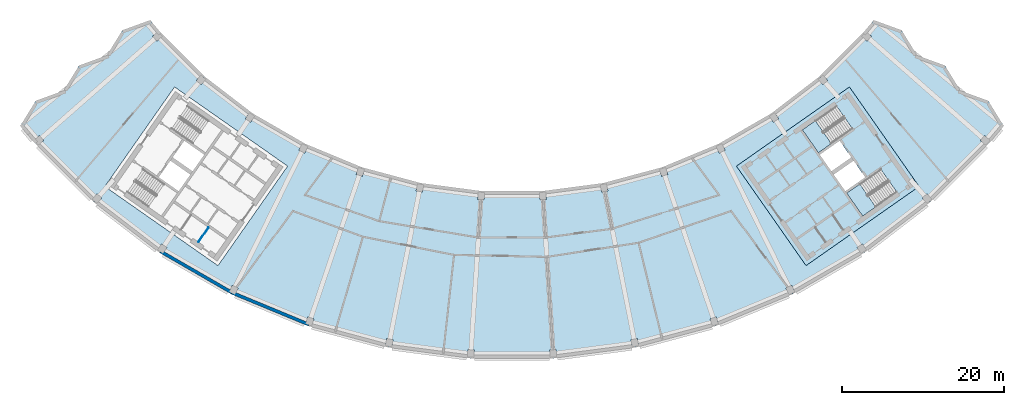
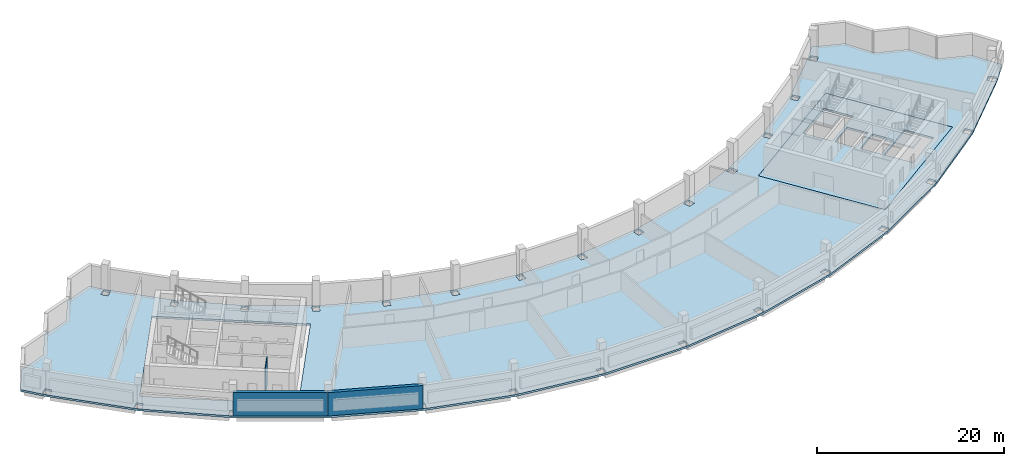
# One storey, part 2 of 11: 4 slabs, 3 walls, 2 elements without a shape of their own.
"""IFC4 building model written with IfcOpenShell, lengths in metres."""

import ifcopenshell
import ifcopenshell.guid

model = None  # the IFC model being written
_history = None  # IfcOwnerHistory: only IFC2X3 demands one
_inside = {}  # id of a spatial element -> (the spatial element, [elements in it])
_under = {}  # id of a project, library or spatial element -> (it, [spatial elements below it])
_declared = {}  # id of a project -> (the project, [libraries it declares])
_typed = {}  # id of a type object -> (the type object, [elements of that type])
_made_of = {}  # id of a material, layer set ... -> (it, [elements and type objects made of it])


def new_model(schema):
    """Start an empty IFC model of exactly this schema.

    Asked for "IFC4X3", IfcOpenShell would pick the latest addendum, in which some entities
    have other attributes; the version numbers below select the first issue.
    IFC2X3 requires an IfcOwnerHistory on every rooted entity: one is made here for all.
    """
    global model, _history
    if schema == "IFC4X3":
        model = ifcopenshell.file(schema_version=(4, 3, 0, 0))
    else:
        model = ifcopenshell.file(schema=schema)
    _inside.clear()
    _under.clear()
    _declared.clear()
    _typed.clear()
    _made_of.clear()
    _history = None
    if model.schema == "IFC2X3":
        org = make("IfcOrganization", Name="unknown")
        user = make(
            "IfcPersonAndOrganization",
            ThePerson=make("IfcPerson", FamilyName="unknown"),
            TheOrganization=org,
        )
        app = make(
            "IfcApplication",
            ApplicationDeveloper=org,
            Version="unknown",
            ApplicationFullName="unknown",
            ApplicationIdentifier="unknown",
        )
        _history = make(
            "IfcOwnerHistory",
            OwningUser=user,
            OwningApplication=app,
            ChangeAction="ADDED",
            CreationDate=0,
        )
    return model


def make(cls, **values):
    """One entity of the class cls with the attributes given. An attribute that is None is left unset."""
    return model.create_entity(
        cls, **{name: value for name, value in values.items() if value is not None}
    )


def rooted(cls, **values):
    """An entity with a GlobalId (a new one), such as an element, a storey or a relation."""
    return make(cls, GlobalId=ifcopenshell.guid.new(), OwnerHistory=_history, **values)


def si_unit(unit_type, name, prefix=None):
    """IfcSIUnit, for example si_unit("LENGTHUNIT", "METRE", prefix="MILLI")."""
    return make("IfcSIUnit", UnitType=unit_type, Prefix=prefix, Name=name)


def assignment(units):
    """IfcUnitAssignment: the units of a project."""
    return None if units is None else make("IfcUnitAssignment", Units=units)


def point(xyz):
    """IfcCartesianPoint."""
    return None if xyz is None else make("IfcCartesianPoint", Coordinates=xyz)


def direction(xyz):
    """IfcDirection."""
    return None if xyz is None else make("IfcDirection", DirectionRatios=xyz)


def frame(location, z_axis=None, x_axis=None):
    """IfcAxis2Placement3D, a coordinate frame: its origin and axes. An axis left out is left unset."""
    return make(
        "IfcAxis2Placement3D",
        Location=point(location),
        Axis=direction(z_axis),
        RefDirection=direction(x_axis),
    )


def frame_2d(location, x_axis=None):
    """IfcAxis2Placement2D, a coordinate frame in the plane: its origin and x axis."""
    return make(
        "IfcAxis2Placement2D", Location=point(location), RefDirection=direction(x_axis)
    )


def origin():
    """The frame at (0, 0, 0) with its axes left unset."""
    return frame((0.0, 0.0, 0.0))


def place(relative_to, where):
    """IfcLocalPlacement: puts the frame where relative to a parent placement (None: the world)."""
    return make(
        "IfcLocalPlacement", PlacementRelTo=relative_to, RelativePlacement=where
    )


def context(
    kind, dimensions, precision=None, world=None, true_north=None, identifier=None
):
    """IfcGeometricRepresentationContext, for example the 3D "Model" context."""
    return make(
        "IfcGeometricRepresentationContext",
        ContextIdentifier=identifier,
        ContextType=kind,
        CoordinateSpaceDimension=dimensions,
        Precision=precision,
        WorldCoordinateSystem=world,
        TrueNorth=true_north,
    )


def subcontext(parent, identifier, kind, view, scale=None):
    """IfcGeometricRepresentationSubContext, for example "Body" below "Model"."""
    return make(
        "IfcGeometricRepresentationSubContext",
        ContextIdentifier=identifier,
        ContextType=kind,
        ParentContext=parent,
        TargetScale=scale,
        TargetView=view,
    )


def project(units=None, contexts=None):
    """IfcProject with its units and contexts."""
    return rooted(
        "IfcProject",
        Name="project",
        RepresentationContexts=contexts,
        UnitsInContext=assignment(units),
    )


def spatial(cls, under=None, at=None, **own):
    """A site, building, storey or space (cls), placed at a placement, below another one or the project."""
    s = rooted(cls, ObjectPlacement=at, **own)
    if under is not None:
        _under.setdefault(under.id(), (under, []))[1].append(s)
    return s


def polyline(points):
    """IfcPolyline through the points."""
    return make("IfcPolyline", Points=[point(p) for p in points])


def profile(cls, at=None, kind="AREA", **sizes):
    """A parametric profile (cls). Its sizes go by their IFC names, for example OverallWidth=200.0."""
    return make(cls, ProfileType=kind, Position=at, **sizes)


def rectangle(**sizes):
    """IfcRectangleProfileDef."""
    return profile("IfcRectangleProfileDef", **sizes)


def outline(outer, holes=None, kind="AREA"):
    """IfcArbitraryClosedProfileDef: a profile drawn as a closed curve; with holes, ...WithVoids."""
    if holes is None:
        return make("IfcArbitraryClosedProfileDef", ProfileType=kind, OuterCurve=outer)
    return make(
        "IfcArbitraryProfileDefWithVoids",
        ProfileType=kind,
        OuterCurve=outer,
        InnerCurves=holes,
    )


def extrude(swept, where, along, depth):
    """IfcExtrudedAreaSolid: the profile swept, set in the frame where, extruded along a direction by depth."""
    return make(
        "IfcExtrudedAreaSolid",
        SweptArea=swept,
        Position=where,
        ExtrudedDirection=direction(along),
        Depth=depth,
    )


def shape(context_of_items, identifier, shape_type, items):
    """IfcShapeRepresentation: the items that make up one representation, for example the "Body"."""
    return make(
        "IfcShapeRepresentation",
        ContextOfItems=context_of_items,
        RepresentationIdentifier=identifier,
        RepresentationType=shape_type,
        Items=items,
    )


def material(Name=None, Category=None):
    """IfcMaterial."""
    return make("IfcMaterial", Name=Name, Category=Category)


def layer(
    of_material, thickness, ventilated=None, Name=None, Category=None, Priority=None
):
    """IfcMaterialLayer: one layer of a wall or slab, of a material (None: an air gap)."""
    return make(
        "IfcMaterialLayer",
        Material=of_material,
        LayerThickness=thickness,
        IsVentilated=ventilated,
        Name=Name,
        Category=Category,
        Priority=Priority,
    )


def layer_set(layers, Name=None):
    """IfcMaterialLayerSet."""
    return make("IfcMaterialLayerSet", MaterialLayers=layers, LayerSetName=Name)


def made_of(thing, what):
    """Note that an element or type object is made of a material, layer set ...; save() writes the relation."""
    if what is not None:
        _made_of.setdefault(what.id(), (what, []))[1].append(thing)
    return thing


def type_object(cls, material=None, **own):
    """A type object (cls), such as IfcWallType, which elements share."""
    return made_of(rooted(cls, **own), material)


def element(
    cls,
    number,
    at=None,
    inside=None,
    cuts=None,
    type_object=None,
    material=None,
    context=None,
    identifier="Body",
    shape_type=None,
    held_by="IfcProductDefinitionShape",
    body=None,
    shapes=None,
    **own,
):
    """One element of the class cls, such as IfcWall. Its Tag is "e" and its number.

    at: its placement. inside: the storey or other place that contains it. cuts: it is an
    opening in that element (IfcRelVoidsElement). A single representation is given by context,
    identifier, shape_type and body (its items); several are given by shapes. held_by: the class
    of the entity that holds the representations. save() writes the other relations.
    """
    e = rooted(cls, Tag="e%d" % number, ObjectPlacement=at, **own)
    if body is not None:
        shapes = [shape(context, identifier, shape_type, body)]
    if shapes is not None:
        e.Representation = make(held_by, Representations=shapes)
    if inside is not None:
        _inside.setdefault(inside.id(), (inside, []))[1].append(e)
    if cuts is not None:
        rooted(
            "IfcRelVoidsElement", RelatingBuildingElement=cuts, RelatedOpeningElement=e
        )
    if type_object is not None:
        _typed.setdefault(type_object.id(), (type_object, []))[1].append(e)
    return made_of(e, material)


def aggregate(whole, parts):
    """IfcRelAggregates: a whole, such as a stair, and the parts it consists of."""
    return rooted("IfcRelAggregates", RelatingObject=whole, RelatedObjects=parts)


def save(model, path):
    """Write the relations noted so far, then the file.

    IfcRelAggregates (storeys below a building ...), IfcRelContainedInSpatialStructure (elements
    in a storey), IfcRelDefinesByType, IfcRelAssociatesMaterial and IfcRelDeclares: one each for
    every whole, place, type object, material and project.
    """
    for whole, parts in _under.values():
        aggregate(whole, parts)
    for where, things in _inside.values():
        rooted(
            "IfcRelContainedInSpatialStructure",
            RelatedElements=things,
            RelatingStructure=where,
        )
    for kind, things in _typed.values():
        rooted("IfcRelDefinesByType", RelatedObjects=things, RelatingType=kind)
    for what, things in _made_of.values():
        rooted("IfcRelAssociatesMaterial", RelatedObjects=things, RelatingMaterial=what)
    for by, libraries in _declared.values():
        rooted("IfcRelDeclares", RelatingContext=by, RelatedDefinitions=libraries)
    model.write(path)


model = new_model("IFC4")

# Units and contexts
model_context = context("Model", 3, precision=1e-05, world=origin(), true_north=direction((0.0, 1.0)))
body_context = subcontext(model_context, "Body", "Model", "MODEL_VIEW")
ifc_project = project(units=[si_unit("LENGTHUNIT", "METRE"), si_unit("AREAUNIT", "SQUARE_METRE"), si_unit("VOLUMEUNIT", "CUBIC_METRE"), si_unit("PLANEANGLEUNIT", "RADIAN"), si_unit("MASSUNIT", "GRAM", prefix="KILO")], contexts=[model_context])

# Site, building, storey
site_placement = place(None, origin())
site = spatial("IfcSite", under=ifc_project, at=site_placement, CompositionType="ELEMENT")
building_placement = place(site_placement, origin())
building = spatial("IfcBuilding", under=site, at=building_placement, Name="Qamariyya Broadcast Tower", CompositionType="ELEMENT")
storey_placement = place(building_placement, frame((0.0, 0.0, 310.699951171875)))
storey = spatial("IfcBuildingStorey", under=building, at=storey_placement, Name="L75", CompositionType="ELEMENT", Elevation=310.699951171875)

# Slabs
ifc_material_1 = material(Name="Concrete C40/50", Category="concrete")
ifc_layer_1 = layer(ifc_material_1, 0.25)
ifc_layer_set_1 = layer_set([ifc_layer_1], Name="Core floor slab 250 mm Concrete C40/50")
slab_type_1 = type_object("IfcSlabType", Name="Core floor slab 250 mm Concrete C40/50", PredefinedType="FLOOR", material=ifc_layer_set_1)
slab_1_placement = place(storey_placement, frame((0.0, 0.0, -0.25)))
element("IfcSlab", 1, at=slab_1_placement, inside=storey, type_object=slab_type_1, Name="k-E-L75-slab", PredefinedType="FLOOR", context=body_context, shape_type="SweptSolid", body=[
    extrude(outline(polyline([(36.32373046875, -66.734375), (50.286376953125, -56.95751953125), (41.6826171875, -44.67041015625), (27.719970703125, -54.447021484375), (36.32373046875, -66.734375)]), holes=[polyline([(39.742431640625, -55.489990234375), (42.199951171875, -53.769287109375), (43.6337890625, -55.817138671875), (41.17626953125, -57.537841796875), (39.742431640625, -55.489990234375)]), polyline([(39.45556640625, -55.080322265625), (41.9130859375, -53.359619140625), (40.47900390625, -51.311767578125), (38.021728515625, -53.032470703125), (39.45556640625, -55.080322265625)]), polyline([(40.082275390625, -47.01171875), (35.870849609375, -49.960693359375), (37.849609375, -52.78662109375), (42.06103515625, -49.837890625), (40.082275390625, -47.01171875)]), polyline([(45.559814453125, -54.834716796875), (41.348388671875, -57.783447265625), (43.3271484375, -60.609619140625), (47.538818359375, -57.66064453125), (45.559814453125, -54.834716796875)])]), origin(), (0.0, 0.0, 1.0), 0.25),
])
ifc_layer_2 = layer(ifc_material_1, 0.25)
ifc_layer_set_2 = layer_set([ifc_layer_2], Name="Post-tensioned floor slab 250 C40/50")
slab_type_2 = type_object("IfcSlabType", Name="Post-tensioned floor slab 250 C40/50", PredefinedType="FLOOR", material=ifc_layer_set_2)
slab_2_placement = place(storey_placement, frame((0.0, 0.0, -0.25)))
element("IfcSlab", 2, at=slab_2_placement, inside=storey, type_object=slab_type_2, Name="Floor slab S5 L75", PredefinedType="FLOOR", context=body_context, shape_type="SweptSolid", body=[
    extrude(outline(polyline([(-58.822509765625, -46.367431640625), (-60.746826171875, -49.482666015625), (-58.90673828125, -51.65966796875), (-51.65966796875, -58.90673828125), (-43.52880859375, -65.145751953125), (-34.6533203125, -70.27001953125), (-25.184814453125, -74.19189453125), (-15.285400390625, -76.844482421875), (-5.124267578125, -78.18212890625), (5.124267578125, -78.18212890625), (15.285400390625, -76.844482421875), (25.184814453125, -74.19189453125), (34.6533203125, -70.27001953125), (43.52880859375, -65.145751953125), (51.65966796875, -58.90673828125), (58.90673828125, -51.65966796875), (60.746826171875, -49.482666015625), (58.822509765625, -46.367431640625), (55.397216796875, -45.125), (53.471923828125, -42.009033203125), (50.04736328125, -40.76708984375), (48.12109375, -37.650634765625), (44.697509765625, -36.409423828125), (43.343505859375, -38.01123046875), (38.01123046875, -43.343505859375), (32.028564453125, -47.934326171875), (25.498046875, -51.704833984375), (18.531005859375, -54.590576171875), (11.2470703125, -56.542236328125), (3.7705078125, -57.526611328125), (-3.7705078125, -57.526611328125), (-11.2470703125, -56.542236328125), (-18.531005859375, -54.590576171875), (-25.498046875, -51.704833984375), (-32.028564453125, -47.934326171875), (-38.01123046875, -43.343505859375), (-43.343505859375, -38.01123046875), (-44.697509765625, -36.409423828125), (-48.12109375, -37.650634765625), (-50.04736328125, -40.76708984375), (-53.471923828125, -42.009033203125), (-55.397216796875, -45.125), (-58.822509765625, -46.367431640625)]), holes=[polyline([(-4.71533203125, -78.058837890625), (-5.513671875, -78.00634765625), (-5.454833984375, -77.1083984375), (-4.656494140625, -77.16064453125), (-4.71533203125, -78.058837890625)]), polyline([(-15.6484375, -76.619384765625), (-15.472900390625, -75.736572265625), (-14.688232421875, -75.892822265625), (-14.86376953125, -76.775390625), (-15.6484375, -76.619384765625)]), polyline([(-25.515380859375, -73.92138671875), (-25.22607421875, -73.069091796875), (-24.468505859375, -73.326171875), (-24.7578125, -74.178466796875), (-25.515380859375, -73.92138671875)]), polyline([(-34.94580078125, -69.95849609375), (-34.547607421875, -69.1513671875), (-33.830078125, -69.505126953125), (-34.228271484375, -70.312255859375), (-34.94580078125, -69.95849609375)]), polyline([(-43.778076171875, -64.798583984375), (-43.278076171875, -64.05029296875), (-42.613037109375, -64.494873046875), (-43.113037109375, -65.2431640625), (-43.778076171875, -64.798583984375)]), polyline([(-51.861572265625, -58.530029296875), (-51.26806640625, -57.853515625), (-50.666748046875, -58.380859375), (-51.260009765625, -59.0576171875), (-51.861572265625, -58.530029296875)]), polyline([(-4.23828125, -58.548095703125), (-4.179443359375, -57.650146484375), (-3.381103515625, -57.702392578125), (-3.43994140625, -58.6005859375), (-4.23828125, -58.548095703125)]), polyline([(-11.843994140625, -57.494140625), (-11.66845703125, -56.611328125), (-10.8837890625, -56.767333984375), (-11.0595703125, -57.650146484375), (-11.843994140625, -57.494140625)]), polyline([(-50.286376953125, -56.95751953125), (-41.6826171875, -44.67041015625), (-27.719970703125, -54.447021484375), (-36.32373046875, -66.734375), (-50.286376953125, -56.95751953125)]), polyline([(-19.247314453125, -55.456298828125), (-18.9580078125, -54.60400390625), (-18.200439453125, -54.861083984375), (-18.48974609375, -55.71337890625), (-19.247314453125, -55.456298828125)]), polyline([(-26.321044921875, -52.469482421875), (-25.923095703125, -51.662353515625), (-25.20556640625, -52.01611328125), (-25.603515625, -52.8232421875), (-26.321044921875, -52.469482421875)]), polyline([(-59.0576171875, -51.260009765625), (-58.380859375, -50.666748046875), (-57.853515625, -51.26806640625), (-58.530029296875, -51.861572265625), (-59.0576171875, -51.260009765625)]), polyline([(-32.944580078125, -48.5849609375), (-32.444580078125, -47.836669921875), (-31.779296875, -48.28125), (-32.279296875, -49.029541015625), (-32.944580078125, -48.5849609375)]), polyline([(-39.00439453125, -43.869140625), (-38.410888671875, -43.192626953125), (-37.8095703125, -43.719970703125), (-38.40283203125, -44.396728515625), (-39.00439453125, -43.869140625)]), polyline([(-44.396728515625, -38.40283203125), (-43.719970703125, -37.8095703125), (-43.192626953125, -38.410888671875), (-43.869140625, -39.00439453125), (-44.396728515625, -38.40283203125)]), polyline([(5.513671875, -78.00634765625), (4.71533203125, -78.058837890625), (4.656494140625, -77.16064453125), (5.454833984375, -77.1083984375), (5.513671875, -78.00634765625)]), polyline([(14.86376953125, -76.775390625), (14.688232421875, -75.892822265625), (15.472900390625, -75.736572265625), (15.6484375, -76.619384765625), (14.86376953125, -76.775390625)]), polyline([(24.7578125, -74.178466796875), (24.468505859375, -73.326171875), (25.22607421875, -73.069091796875), (25.515380859375, -73.92138671875), (24.7578125, -74.178466796875)]), polyline([(34.228271484375, -70.312255859375), (33.830078125, -69.505126953125), (34.547607421875, -69.1513671875), (34.94580078125, -69.95849609375), (34.228271484375, -70.312255859375)]), polyline([(43.113037109375, -65.2431640625), (42.613037109375, -64.494873046875), (43.278076171875, -64.05029296875), (43.778076171875, -64.798583984375), (43.113037109375, -65.2431640625)]), polyline([(51.260009765625, -59.0576171875), (50.666748046875, -58.380859375), (51.26806640625, -57.853515625), (51.861572265625, -58.530029296875), (51.260009765625, -59.0576171875)]), polyline([(3.43994140625, -58.6005859375), (3.381103515625, -57.702392578125), (4.179443359375, -57.650146484375), (4.23828125, -58.548095703125), (3.43994140625, -58.6005859375)]), polyline([(11.0595703125, -57.650146484375), (10.8837890625, -56.767333984375), (11.66845703125, -56.611328125), (11.843994140625, -57.494140625), (11.0595703125, -57.650146484375)]), polyline([(36.32373046875, -66.734375), (27.719970703125, -54.447021484375), (41.6826171875, -44.67041015625), (50.286376953125, -56.95751953125), (36.32373046875, -66.734375)]), polyline([(18.48974609375, -55.71337890625), (18.200439453125, -54.861083984375), (18.9580078125, -54.60400390625), (19.247314453125, -55.456298828125), (18.48974609375, -55.71337890625)]), polyline([(25.603515625, -52.8232421875), (25.20556640625, -52.01611328125), (25.923095703125, -51.662353515625), (26.321044921875, -52.469482421875), (25.603515625, -52.8232421875)]), polyline([(58.530029296875, -51.861572265625), (57.853515625, -51.26806640625), (58.380859375, -50.666748046875), (59.0576171875, -51.260009765625), (58.530029296875, -51.861572265625)]), polyline([(32.279296875, -49.029541015625), (31.779296875, -48.28125), (32.444580078125, -47.836669921875), (32.944580078125, -48.5849609375), (32.279296875, -49.029541015625)]), polyline([(38.40283203125, -44.396728515625), (37.8095703125, -43.719970703125), (38.410888671875, -43.192626953125), (39.00439453125, -43.869140625), (38.40283203125, -44.396728515625)]), polyline([(43.869140625, -39.00439453125), (43.192626953125, -38.410888671875), (43.719970703125, -37.8095703125), (44.396728515625, -38.40283203125), (43.869140625, -39.00439453125)])]), origin(), (0.0, 0.0, 1.0), 0.25),
])

# Stair, slab
ifc_material_2 = material(Name="Concrete C50/60", Category="concrete")
stair_type = type_object("IfcStairType", Name="Exit stair 24 risers of 167 mm", PredefinedType="HALF_TURN_STAIR", material=ifc_material_2)
stair_1_placement = place(storey_placement, origin())
stair_1 = element("IfcStair", 3, at=stair_1_placement, inside=storey, type_object=stair_type, Name="L75 Stair E2", PredefinedType="HALF_TURN_STAIR")
ifc_layer_3 = layer(ifc_material_2, 0.199951171875)
ifc_layer_set_3 = layer_set([ifc_layer_3], Name="Stair landing")
slab_type_3 = type_object("IfcSlabType", Name="Stair landing", PredefinedType="LANDING", material=ifc_layer_set_3)
slab_3_placement = place(storey_placement, frame((0.0, 0.0, 1.800048828125)))
slab_3 = element("IfcSlab", 4, at=slab_3_placement, type_object=slab_type_3, Name="ST-E2 landing 1", PredefinedType="LANDING", context=body_context, shape_type="SweptSolid", body=[
    extrude(outline(polyline([(37.475830078125, -48.8369140625), (35.870849609375, -49.960693359375), (37.849609375, -52.78662109375), (39.45458984375, -51.662841796875), (37.475830078125, -48.8369140625)])), origin(), (0.0, 0.0, 1.0), 0.199951171875),
])
aggregate(stair_1, [slab_3])

stair_2_placement = place(storey_placement, origin())
stair_2 = element("IfcStair", 5, at=stair_2_placement, inside=storey, type_object=stair_type, Name="L75 Stair E1", PredefinedType="HALF_TURN_STAIR")
slab_4_placement = place(storey_placement, frame((0.0, 0.0, 1.800048828125)))
slab_4 = element("IfcSlab", 6, at=slab_4_placement, type_object=slab_type_3, Name="ST-E1 landing 1", PredefinedType="LANDING", context=body_context, shape_type="SweptSolid", body=[
    extrude(outline(polyline([(42.953369140625, -56.65966796875), (41.348388671875, -57.783447265625), (43.3271484375, -60.609619140625), (44.93212890625, -59.48583984375), (42.953369140625, -56.65966796875)])), origin(), (0.0, 0.0, 1.0), 0.199951171875),
])
aggregate(stair_2, [slab_4])

# Walls
ifc_material_3 = material(Name="Fire-rated gypsum shaft liner on steel studs", Category="steel")
ifc_layer_4 = layer(ifc_material_3, 0.10009765625)
ifc_layer_set_4 = layer_set([ifc_layer_4], Name="Riser wall 100 mm")
wall_type_1 = type_object("IfcWallType", Name="Riser wall 100 mm", PredefinedType="PLUMBINGWALL", material=ifc_layer_set_4)
wall_1_placement = place(storey_placement, frame((-37.47802734375, -62.01953125, 0.0), z_axis=(0.0, 0.0, 1.0), x_axis=(-0.573581496053, -0.819148501424, 0.0)))
element("IfcWall", 7, at=wall_1_placement, inside=storey, type_object=wall_type_1, Name="k-W-L75-SP265", PredefinedType="PLUMBINGWALL", context=body_context, shape_type="SweptSolid", body=[
    extrude(rectangle(XDim=2.2001953125, YDim=0.10009765625, at=frame_2d((1.10009765625, 0.0))), origin(), (0.0, 0.0, 1.0), 3.75),
])
ifc_material_4 = material(Name="Terracotta", Category="masonry")
ifc_layer_5 = layer(ifc_material_4, 0.39990234375)
ifc_layer_set_5 = layer_set([ifc_layer_5], Name="Solid terracotta louvred band wall 400")
wall_type_2 = type_object("IfcWallType", Name="Solid terracotta louvred band wall 400", PredefinedType="SOLIDWALL", material=ifc_layer_set_5)
wall_2_placement = place(storey_placement, frame((-43.37353515625, -65.00439453125, 0.0), z_axis=(0.0, 0.0, 1.0), x_axis=(0.866019679839, -0.500009914033, 0.0)))
element("IfcWall", 8, at=wall_2_placement, inside=storey, type_object=wall_type_2, Name="e-wl-L75-out30", PredefinedType="SOLIDWALL", context=body_context, shape_type="SweptSolid", body=[
    extrude(rectangle(XDim=10.120849609375, YDim=0.39990234375, at=frame_2d((5.060546875, 0.0))), origin(), (0.0, 0.0, 1.0), 3.050048828125),
])
wall_3_placement = place(storey_placement, frame((-34.587646484375, -70.08056640625, 0.0), z_axis=(0.0, 0.0, 1.0), x_axis=(0.923877211741, -0.382689035152, 0.0)))
element("IfcWall", 9, at=wall_3_placement, inside=storey, type_object=wall_type_2, Name="e-wl-L75-out40", PredefinedType="SOLIDWALL", context=body_context, shape_type="SweptSolid", body=[
    extrude(rectangle(XDim=10.2724609375, YDim=0.39990234375, at=frame_2d((5.13623046875, 0.0))), origin(), (0.0, 0.0, 1.0), 3.050048828125),
])

save(model, "model.ifc")
